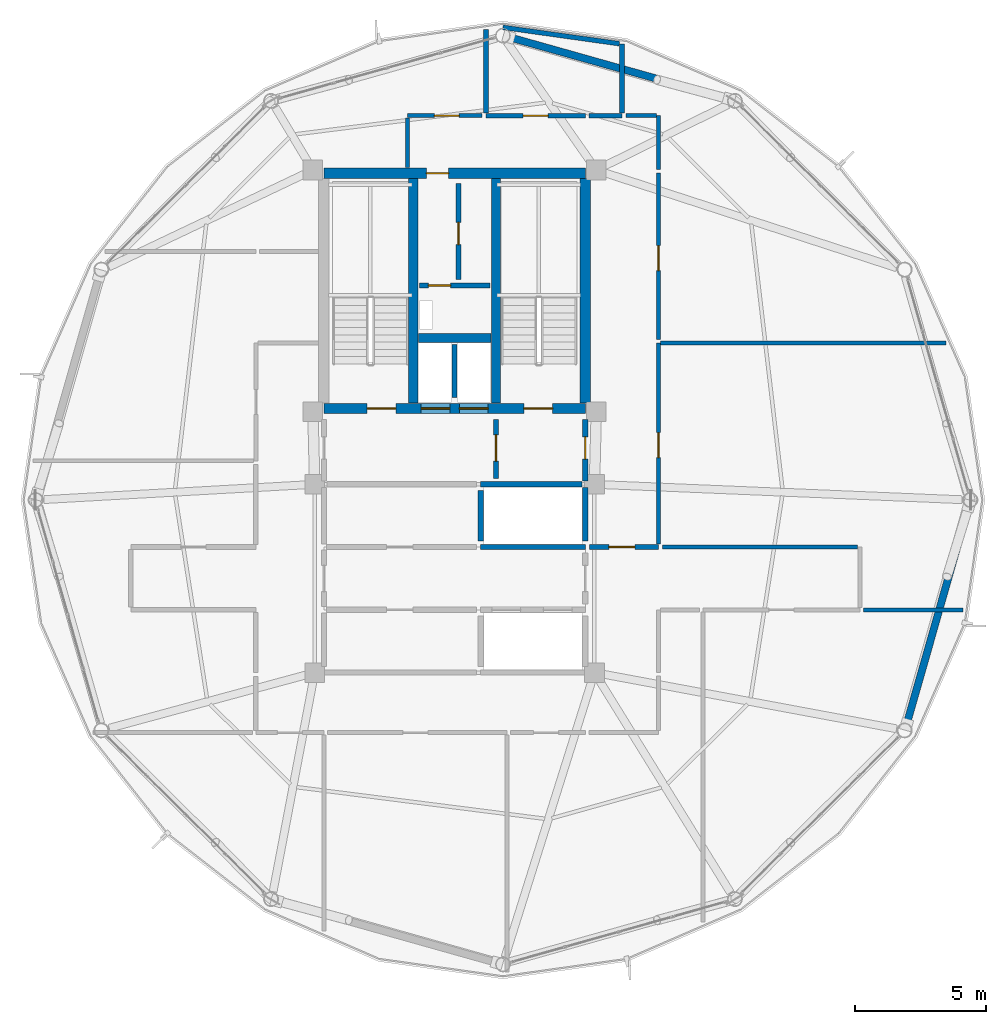
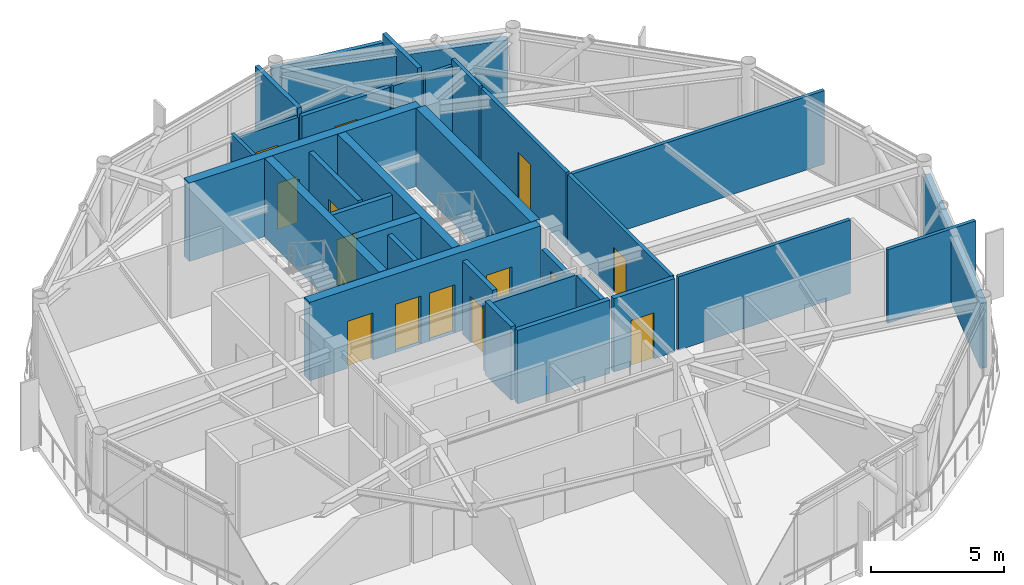
# One storey, part 20 of 24: 32 walls, 14 doors, 14 openings.
"""IFC4 building model written with IfcOpenShell, lengths in metres."""

import ifcopenshell
import ifcopenshell.guid

model = None  # the IFC model being written
_history = None  # IfcOwnerHistory: only IFC2X3 demands one
_inside = {}  # id of a spatial element -> (the spatial element, [elements in it])
_under = {}  # id of a project, library or spatial element -> (it, [spatial elements below it])
_declared = {}  # id of a project -> (the project, [libraries it declares])
_typed = {}  # id of a type object -> (the type object, [elements of that type])
_made_of = {}  # id of a material, layer set ... -> (it, [elements and type objects made of it])


def new_model(schema):
    """Start an empty IFC model of exactly this schema.

    Asked for "IFC4X3", IfcOpenShell would pick the latest addendum, in which some entities
    have other attributes; the version numbers below select the first issue.
    IFC2X3 requires an IfcOwnerHistory on every rooted entity: one is made here for all.
    """
    global model, _history
    if schema == "IFC4X3":
        model = ifcopenshell.file(schema_version=(4, 3, 0, 0))
    else:
        model = ifcopenshell.file(schema=schema)
    _inside.clear()
    _under.clear()
    _declared.clear()
    _typed.clear()
    _made_of.clear()
    _history = None
    if model.schema == "IFC2X3":
        org = make("IfcOrganization", Name="unknown")
        user = make(
            "IfcPersonAndOrganization",
            ThePerson=make("IfcPerson", FamilyName="unknown"),
            TheOrganization=org,
        )
        app = make(
            "IfcApplication",
            ApplicationDeveloper=org,
            Version="unknown",
            ApplicationFullName="unknown",
            ApplicationIdentifier="unknown",
        )
        _history = make(
            "IfcOwnerHistory",
            OwningUser=user,
            OwningApplication=app,
            ChangeAction="ADDED",
            CreationDate=0,
        )
    return model


def make(cls, **values):
    """One entity of the class cls with the attributes given. An attribute that is None is left unset."""
    return model.create_entity(
        cls, **{name: value for name, value in values.items() if value is not None}
    )


def rooted(cls, **values):
    """An entity with a GlobalId (a new one), such as an element, a storey or a relation."""
    return make(cls, GlobalId=ifcopenshell.guid.new(), OwnerHistory=_history, **values)


def si_unit(unit_type, name, prefix=None):
    """IfcSIUnit, for example si_unit("LENGTHUNIT", "METRE", prefix="MILLI")."""
    return make("IfcSIUnit", UnitType=unit_type, Prefix=prefix, Name=name)


def assignment(units):
    """IfcUnitAssignment: the units of a project."""
    return None if units is None else make("IfcUnitAssignment", Units=units)


def point(xyz):
    """IfcCartesianPoint."""
    return None if xyz is None else make("IfcCartesianPoint", Coordinates=xyz)


def direction(xyz):
    """IfcDirection."""
    return None if xyz is None else make("IfcDirection", DirectionRatios=xyz)


def frame(location, z_axis=None, x_axis=None):
    """IfcAxis2Placement3D, a coordinate frame: its origin and axes. An axis left out is left unset."""
    return make(
        "IfcAxis2Placement3D",
        Location=point(location),
        Axis=direction(z_axis),
        RefDirection=direction(x_axis),
    )


def frame_2d(location, x_axis=None):
    """IfcAxis2Placement2D, a coordinate frame in the plane: its origin and x axis."""
    return make(
        "IfcAxis2Placement2D", Location=point(location), RefDirection=direction(x_axis)
    )


def origin():
    """The frame at (0, 0, 0) with its axes left unset."""
    return frame((0.0, 0.0, 0.0))


def place(relative_to, where):
    """IfcLocalPlacement: puts the frame where relative to a parent placement (None: the world)."""
    return make(
        "IfcLocalPlacement", PlacementRelTo=relative_to, RelativePlacement=where
    )


def context(
    kind, dimensions, precision=None, world=None, true_north=None, identifier=None
):
    """IfcGeometricRepresentationContext, for example the 3D "Model" context."""
    return make(
        "IfcGeometricRepresentationContext",
        ContextIdentifier=identifier,
        ContextType=kind,
        CoordinateSpaceDimension=dimensions,
        Precision=precision,
        WorldCoordinateSystem=world,
        TrueNorth=true_north,
    )


def subcontext(parent, identifier, kind, view, scale=None):
    """IfcGeometricRepresentationSubContext, for example "Body" below "Model"."""
    return make(
        "IfcGeometricRepresentationSubContext",
        ContextIdentifier=identifier,
        ContextType=kind,
        ParentContext=parent,
        TargetScale=scale,
        TargetView=view,
    )


def project(units=None, contexts=None):
    """IfcProject with its units and contexts."""
    return rooted(
        "IfcProject",
        Name="project",
        RepresentationContexts=contexts,
        UnitsInContext=assignment(units),
    )


def spatial(cls, under=None, at=None, **own):
    """A site, building, storey or space (cls), placed at a placement, below another one or the project."""
    s = rooted(cls, ObjectPlacement=at, **own)
    if under is not None:
        _under.setdefault(under.id(), (under, []))[1].append(s)
    return s


def profile(cls, at=None, kind="AREA", **sizes):
    """A parametric profile (cls). Its sizes go by their IFC names, for example OverallWidth=200.0."""
    return make(cls, ProfileType=kind, Position=at, **sizes)


def rectangle(**sizes):
    """IfcRectangleProfileDef."""
    return profile("IfcRectangleProfileDef", **sizes)


def extrude(swept, where, along, depth):
    """IfcExtrudedAreaSolid: the profile swept, set in the frame where, extruded along a direction by depth."""
    return make(
        "IfcExtrudedAreaSolid",
        SweptArea=swept,
        Position=where,
        ExtrudedDirection=direction(along),
        Depth=depth,
    )


def shape(context_of_items, identifier, shape_type, items):
    """IfcShapeRepresentation: the items that make up one representation, for example the "Body"."""
    return make(
        "IfcShapeRepresentation",
        ContextOfItems=context_of_items,
        RepresentationIdentifier=identifier,
        RepresentationType=shape_type,
        Items=items,
    )


def material(Name=None, Category=None):
    """IfcMaterial."""
    return make("IfcMaterial", Name=Name, Category=Category)


def layer(
    of_material, thickness, ventilated=None, Name=None, Category=None, Priority=None
):
    """IfcMaterialLayer: one layer of a wall or slab, of a material (None: an air gap)."""
    return make(
        "IfcMaterialLayer",
        Material=of_material,
        LayerThickness=thickness,
        IsVentilated=ventilated,
        Name=Name,
        Category=Category,
        Priority=Priority,
    )


def layer_set(layers, Name=None):
    """IfcMaterialLayerSet."""
    return make("IfcMaterialLayerSet", MaterialLayers=layers, LayerSetName=Name)


def made_of(thing, what):
    """Note that an element or type object is made of a material, layer set ...; save() writes the relation."""
    if what is not None:
        _made_of.setdefault(what.id(), (what, []))[1].append(thing)
    return thing


def type_object(cls, material=None, **own):
    """A type object (cls), such as IfcWallType, which elements share."""
    return made_of(rooted(cls, **own), material)


def element(
    cls,
    number,
    at=None,
    inside=None,
    cuts=None,
    type_object=None,
    material=None,
    context=None,
    identifier="Body",
    shape_type=None,
    held_by="IfcProductDefinitionShape",
    body=None,
    shapes=None,
    **own,
):
    """One element of the class cls, such as IfcWall. Its Tag is "e" and its number.

    at: its placement. inside: the storey or other place that contains it. cuts: it is an
    opening in that element (IfcRelVoidsElement). A single representation is given by context,
    identifier, shape_type and body (its items); several are given by shapes. held_by: the class
    of the entity that holds the representations. save() writes the other relations.
    """
    e = rooted(cls, Tag="e%d" % number, ObjectPlacement=at, **own)
    if body is not None:
        shapes = [shape(context, identifier, shape_type, body)]
    if shapes is not None:
        e.Representation = make(held_by, Representations=shapes)
    if inside is not None:
        _inside.setdefault(inside.id(), (inside, []))[1].append(e)
    if cuts is not None:
        rooted(
            "IfcRelVoidsElement", RelatingBuildingElement=cuts, RelatedOpeningElement=e
        )
    if type_object is not None:
        _typed.setdefault(type_object.id(), (type_object, []))[1].append(e)
    return made_of(e, material)


def fill(opening, filler):
    """IfcRelFillsElement: the door or window that sits in an opening."""
    return rooted(
        "IfcRelFillsElement",
        RelatingOpeningElement=opening,
        RelatedBuildingElement=filler,
    )


def aggregate(whole, parts):
    """IfcRelAggregates: a whole, such as a stair, and the parts it consists of."""
    return rooted("IfcRelAggregates", RelatingObject=whole, RelatedObjects=parts)


def save(model, path):
    """Write the relations noted so far, then the file.

    IfcRelAggregates (storeys below a building ...), IfcRelContainedInSpatialStructure (elements
    in a storey), IfcRelDefinesByType, IfcRelAssociatesMaterial and IfcRelDeclares: one each for
    every whole, place, type object, material and project.
    """
    for whole, parts in _under.values():
        aggregate(whole, parts)
    for where, things in _inside.values():
        rooted(
            "IfcRelContainedInSpatialStructure",
            RelatedElements=things,
            RelatingStructure=where,
        )
    for kind, things in _typed.values():
        rooted("IfcRelDefinesByType", RelatedObjects=things, RelatingType=kind)
    for what, things in _made_of.values():
        rooted("IfcRelAssociatesMaterial", RelatedObjects=things, RelatingMaterial=what)
    for by, libraries in _declared.values():
        rooted("IfcRelDeclares", RelatingContext=by, RelatedDefinitions=libraries)
    model.write(path)


model = new_model("IFC4")

# Units and contexts
model_context = context("Model", 3, precision=1e-05, world=origin(), true_north=direction((0.0, 1.0)))
body_context = subcontext(model_context, "Body", "Model", "MODEL_VIEW")
ifc_project = project(units=[si_unit("LENGTHUNIT", "METRE"), si_unit("AREAUNIT", "SQUARE_METRE"), si_unit("VOLUMEUNIT", "CUBIC_METRE"), si_unit("PLANEANGLEUNIT", "RADIAN"), si_unit("MASSUNIT", "GRAM", prefix="KILO")], contexts=[model_context])

# Site, building, storey
site_placement = place(None, origin())
site = spatial("IfcSite", under=ifc_project, at=site_placement, CompositionType="ELEMENT")
building_placement = place(site_placement, origin())
building = spatial("IfcBuilding", under=site, at=building_placement, Name="Varnakorn Sky Granary", CompositionType="ELEMENT")
storey_placement = place(building_placement, frame((0.0, 0.0, 281.39990234375)))
storey = spatial("IfcBuildingStorey", under=building, at=storey_placement, Name="L72", CompositionType="ELEMENT", Elevation=281.39990234375)

# Walls
ifc_material_1 = material(Name="Concrete C50/60", Category="concrete")
ifc_layer_1 = layer(ifc_material_1, 0.35009765625, Name="Concrete C50/60")
ifc_layer_set_1 = layer_set([ifc_layer_1], Name="Concrete C50/60")
wall_type_1 = type_object("IfcWallType", Name="WT-CW-INT-350", PredefinedType="SHEAR", material=ifc_layer_set_1)
for number, where, z_axis, x_axis, name in (
    (1, (1.419921875, 3.7099609375, 0.0), (0.0, 0.0, 1.0), (0.0, 1.0, 0.0), "Stair ST-1 Core Wall L72"),
    (2, (4.580078125, 3.7099609375, 0.0), (0.0, 0.0, 1.0), (0.0, 1.0, 0.0), "Stair ST-2 Core Wall L72"),
):
    element("IfcWall", number, at=place(storey_placement, frame(where, z_axis=z_axis, x_axis=x_axis)), inside=storey, type_object=wall_type_1, Name=name, PredefinedType="SHEAR", context=body_context, shape_type="SweptSolid", body=[
        extrude(rectangle(XDim=8.580078125, YDim=0.35009765625, at=frame_2d((4.2900390625, 0.0))), origin(), (0.0, 0.0, 1.0), 3.592041015625),
    ])
wall_1_placement = place(storey_placement, frame((1.610107421875, 6.199951171875, 0.0), z_axis=(0.0, 0.0, 1.0), x_axis=(1.0, 0.0, 0.0)))
element("IfcWall", 3, at=wall_1_placement, inside=storey, type_object=wall_type_1, Name="Core Lift Shaft Cross Wall L72", PredefinedType="SHEAR", context=body_context, shape_type="SweptSolid", body=[
    extrude(rectangle(XDim=2.77978515625, YDim=0.35009765625, at=frame_2d((1.389892578125, 0.0))), origin(), (0.0, 0.0, 1.0), 3.592041015625),
])

# Wall, openings, doors
ifc_layer_2 = layer(ifc_material_1, 0.39990234375, Name="Concrete C50/60")
ifc_layer_set_2 = layer_set([ifc_layer_2], Name="Concrete C50/60")
wall_type_2 = type_object("IfcWallType", Name="WT-CW-SHEAR-400", PredefinedType="SHEAR", material=ifc_layer_set_2)
wall_2_placement = place(storey_placement, frame((-2.0, 3.5, 0.0), z_axis=(0.0, 0.0, 1.0), x_axis=(1.0, 0.0, 0.0)))
wall_2 = element("IfcWall", 4, at=wall_2_placement, inside=storey, type_object=wall_type_2, Name="Core South Shear Wall L72", PredefinedType="SHEAR", context=body_context, shape_type="SweptSolid", body=[
    extrude(rectangle(XDim=10.0, YDim=0.39990234375, at=frame_2d((5.0, 0.0))), origin(), (0.0, 0.0, 1.0), 3.592041015625),
])
opening_1_placement = place(wall_2_placement, frame((1.64990234375, 0.0, 0.0)))
opening_1 = element("IfcOpeningElement", 5, at=opening_1_placement, cuts=wall_2, Name="Opening FD-90", PredefinedType="OPENING", context=body_context, shape_type="SweptSolid", body=[
    extrude(rectangle(XDim=1.10009765625, YDim=2.14990234375, at=frame_2d((0.550048828125, 1.074951171875))), frame((0.0, 0.2099609375, 0.0), z_axis=(0.0, -1.0, 0.0), x_axis=(1.0, 0.0, 0.0)), (0.0, 0.0, 1.0), 0.419921875),
])
opening_2_placement = place(wall_2_placement, frame((7.64990234375, 0.0, 0.0)))
opening_2 = element("IfcOpeningElement", 6, at=opening_2_placement, cuts=wall_2, Name="Opening FD-90", PredefinedType="OPENING", context=body_context, shape_type="SweptSolid", body=[
    extrude(rectangle(XDim=1.10009765625, YDim=2.14990234375, at=frame_2d((0.550048828125, 1.074951171875))), frame((0.0, 0.2099609375, 0.0), z_axis=(0.0, -1.0, 0.0), x_axis=(1.0, 0.0, 0.0)), (0.0, 0.0, 1.0), 0.419921875),
])
opening_3_placement = place(wall_2_placement, frame((3.719970703125, 0.0, 0.0)))
opening_3 = element("IfcOpeningElement", 7, at=opening_3_placement, cuts=wall_2, Name="Opening LD-01", PredefinedType="OPENING", context=body_context, shape_type="SweptSolid", body=[
    extrude(rectangle(XDim=1.10009765625, YDim=2.199951171875, at=frame_2d((0.550048828125, 1.10009765625))), frame((0.0, 0.2099609375, 0.0), z_axis=(0.0, -1.0, 0.0), x_axis=(1.0, 0.0, 0.0)), (0.0, 0.0, 1.0), 0.419921875),
])
opening_4_placement = place(wall_2_placement, frame((5.179931640625, 0.0, 0.0)))
opening_4 = element("IfcOpeningElement", 8, at=opening_4_placement, cuts=wall_2, Name="Opening LD-01", PredefinedType="OPENING", context=body_context, shape_type="SweptSolid", body=[
    extrude(rectangle(XDim=1.10009765625, YDim=2.199951171875, at=frame_2d((0.550048828125, 1.10009765625))), frame((0.0, 0.2099609375, 0.0), z_axis=(0.0, -1.0, 0.0), x_axis=(1.0, 0.0, 0.0)), (0.0, 0.0, 1.0), 0.419921875),
])
ifc_material_2 = material(Name="Brushed Bronze Stainless Steel", Category="steel")
door_type_1 = type_object("IfcDoorType", Name="DR-LD-1100", OperationType="DOUBLE_DOOR_SLIDING", PredefinedType="DOOR", material=ifc_material_2)
door_1_placement = place(opening_3_placement, origin())
door_1 = element("IfcDoor", 9, at=door_1_placement, inside=storey, type_object=door_type_1, Name="Firefighting Lift FFL-1 Landing Door L72", OperationType="DOUBLE_DOOR_SLIDING", OverallHeight=2.199951171875, OverallWidth=1.10009765625, PredefinedType="DOOR", context=body_context, shape_type="SweptSolid", body=[
    extrude(rectangle(XDim=1.10009765625, YDim=2.199951171875, at=frame_2d((0.550048828125, 1.10009765625))), frame((0.0, 0.02490234375, 0.0), z_axis=(0.0, -1.0, 0.0), x_axis=(1.0, 0.0, 0.0)), (0.0, 0.0, 1.0), 0.050048828125),
])
fill(opening_3, door_1)
door_2_placement = place(opening_4_placement, origin())
door_2 = element("IfcDoor", 10, at=door_2_placement, inside=storey, type_object=door_type_1, Name="Firefighting Lift FFL-2 Landing Door L72", OperationType="DOUBLE_DOOR_SLIDING", OverallHeight=2.199951171875, OverallWidth=1.10009765625, PredefinedType="DOOR", context=body_context, shape_type="SweptSolid", body=[
    extrude(rectangle(XDim=1.10009765625, YDim=2.199951171875, at=frame_2d((0.550048828125, 1.10009765625))), frame((0.0, 0.02490234375, 0.0), z_axis=(0.0, -1.0, 0.0), x_axis=(1.0, 0.0, 0.0)), (0.0, 0.0, 1.0), 0.050048828125),
])
fill(opening_4, door_2)
ifc_material_3 = material(Name="Galvanised Painted Steel Leaf", Category="steel")
door_type_2 = type_object("IfcDoorType", Name="DR-STAIR-1100", OperationType="NOTDEFINED", PredefinedType="DOOR", material=ifc_material_3)
door_3_placement = place(opening_1_placement, origin())
door_3 = element("IfcDoor", 11, at=door_3_placement, inside=storey, type_object=door_type_2, Name="Stair ST-1 Protected Fire Door L72", OperationType="SINGLE_SWING_LEFT", OverallHeight=2.14990234375, OverallWidth=1.10009765625, PredefinedType="DOOR", context=body_context, shape_type="SweptSolid", body=[
    extrude(rectangle(XDim=1.10009765625, YDim=2.14990234375, at=frame_2d((0.550048828125, 1.074951171875))), frame((0.0, 0.02490234375, 0.0), z_axis=(0.0, -1.0, 0.0), x_axis=(1.0, 0.0, 0.0)), (0.0, 0.0, 1.0), 0.050048828125),
])
fill(opening_1, door_3)
door_4_placement = place(opening_2_placement, origin())
door_4 = element("IfcDoor", 12, at=door_4_placement, inside=storey, type_object=door_type_2, Name="Stair ST-2 Protected Fire Door L72", OperationType="SINGLE_SWING_RIGHT", OverallHeight=2.14990234375, OverallWidth=1.10009765625, PredefinedType="DOOR", context=body_context, shape_type="SweptSolid", body=[
    extrude(rectangle(XDim=1.10009765625, YDim=2.14990234375, at=frame_2d((0.550048828125, 1.074951171875))), frame((0.0, 0.02490234375, 0.0), z_axis=(0.0, -1.0, 0.0), x_axis=(1.0, 0.0, 0.0)), (0.0, 0.0, 1.0), 0.050048828125),
])
fill(opening_2, door_4)

# Wall, opening, door
wall_3_placement = place(storey_placement, frame((-2.0, 12.5, 0.0), z_axis=(0.0, 0.0, 1.0), x_axis=(1.0, 0.0, 0.0)))
wall_3 = element("IfcWall", 13, at=wall_3_placement, inside=storey, type_object=wall_type_2, Name="Core North Shear Wall L72", PredefinedType="SHEAR", context=body_context, shape_type="SweptSolid", body=[
    extrude(rectangle(XDim=10.0, YDim=0.39990234375, at=frame_2d((5.0, 0.0))), origin(), (0.0, 0.0, 1.0), 3.592041015625),
])
opening_5_placement = place(wall_3_placement, frame((3.919921875, 0.0, 0.0)))
opening_5 = element("IfcOpeningElement", 14, at=opening_5_placement, cuts=wall_3, Name="Opening FD-60N", PredefinedType="OPENING", context=body_context, shape_type="SweptSolid", body=[
    extrude(rectangle(XDim=0.85009765625, YDim=2.10009765625, at=frame_2d((0.425048828125, 1.050048828125))), frame((0.0, 0.2099609375, 0.0), z_axis=(0.0, -1.0, 0.0), x_axis=(1.0, 0.0, 0.0)), (0.0, 0.0, 1.0), 0.419921875),
])
ifc_material_4 = material(Name="Acoustic Timber Fire Leaf", Category="wood")
door_type_3 = type_object("IfcDoorType", Name="DR-FD60-850", OperationType="NOTDEFINED", PredefinedType="DOOR", material=ifc_material_4)
door_5_placement = place(opening_5_placement, origin())
door_5 = element("IfcDoor", 15, at=door_5_placement, inside=storey, type_object=door_type_3, Name="Core North Service Door L72", OperationType="SINGLE_SWING_RIGHT", OverallHeight=2.10009765625, OverallWidth=0.85009765625, PredefinedType="DOOR", context=body_context, shape_type="SweptSolid", body=[
    extrude(rectangle(XDim=0.85009765625, YDim=2.10009765625, at=frame_2d((0.425048828125, 1.050048828125))), frame((0.0, 0.02490234375, 0.0), z_axis=(0.0, -1.0, 0.0), x_axis=(1.0, 0.0, 0.0)), (0.0, 0.0, 1.0), 0.050048828125),
])
fill(opening_5, door_5)

# Walls
wall_4_placement = place(storey_placement, frame((8.0, 3.7099609375, 0.0), z_axis=(0.0, 0.0, 1.0), x_axis=(0.0, 1.0, 0.0)))
element("IfcWall", 16, at=wall_4_placement, inside=storey, type_object=wall_type_2, Name="Core East Shear Wall L72", PredefinedType="SHEAR", context=body_context, shape_type="SweptSolid", body=[
    extrude(rectangle(XDim=8.580078125, YDim=0.39990234375, at=frame_2d((4.2900390625, 0.0))), origin(), (0.0, 0.0, 1.0), 3.592041015625),
])
ifc_material_5 = material(Name="Precast concrete C40/50", Category="concrete")
ifc_layer_3 = layer(ifc_material_5, 0.280029296875, Name="Precast concrete C40/50")
ifc_layer_set_3 = layer_set([ifc_layer_3], Name="Precast concrete C40/50")
wall_type_3 = type_object("IfcWallType", Name="WT-EW-CRN-280", PredefinedType="SOLIDWALL", material=ifc_layer_set_3)
wall_5_placement = place(storey_placement, frame((5.07568359375, 17.70458984375, 0.0), z_axis=(0.0, 0.0, 1.0), x_axis=(0.962607071453, -0.270901506066, 0.0)))
element("IfcWall", 17, at=wall_5_placement, inside=storey, type_object=wall_type_3, Name="Agritech Insulated Precast Facade Wall L72-P03", PredefinedType="SOLIDWALL", context=body_context, shape_type="SweptSolid", body=[
    extrude(rectangle(XDim=8.750732421875, YDim=0.280029296875, at=frame_2d((4.37548828125, 0.0))), origin(), (0.0, 0.0, 1.0), 2.97021484375),
])
wall_6_placement = place(storey_placement, frame((22.670654296875, -0.2255859375, 0.0), z_axis=(0.0, 0.0, 1.0), x_axis=(-0.274098309732, -0.96170167755, 0.0)))
element("IfcWall", 18, at=wall_6_placement, inside=storey, type_object=wall_type_3, Name="Agritech Insulated Precast Facade Wall L72-P12", PredefinedType="SOLIDWALL", context=body_context, shape_type="SweptSolid", body=[
    extrude(rectangle(XDim=8.69873046875, YDim=0.280029296875, at=frame_2d((4.349365234375, 0.0))), origin(), (0.0, 0.0, 1.0), 2.97021484375),
])

# Wall, opening, door
ifc_material_6 = material(Name="Autoclaved Aerated Concrete Blockwork", Category="masonry")
ifc_layer_4 = layer(ifc_material_6, 0.199951171875, Name="Autoclaved Aerated Concrete Blockwork")
ifc_layer_set_4 = layer_set([ifc_layer_4], Name="Autoclaved Aerated Concrete Blockwork")
wall_type_4 = type_object("IfcWallType", Name="WT-FIRE-200", PredefinedType="MOVABLE", material=ifc_layer_set_4)
wall_7_placement = place(storey_placement, frame((1.64990234375, 8.199951171875, 0.0), z_axis=(0.0, 0.0, 1.0), x_axis=(1.0, 0.0, 0.0)))
wall_7 = element("IfcWall", 19, at=wall_7_placement, inside=storey, type_object=wall_type_4, Name="Interior Partition Wall L72-010", PredefinedType="MOVABLE", context=body_context, shape_type="SweptSolid", body=[
    extrude(rectangle(XDim=2.7001953125, YDim=0.199951171875, at=frame_2d((1.35009765625, 0.0))), origin(), (0.0, 0.0, 1.0), 3.360107421875),
])
opening_6_placement = place(wall_7_placement, frame((0.35009765625, 0.0, 0.0)))
opening_6 = element("IfcOpeningElement", 20, at=opening_6_placement, cuts=wall_7, Name="Opening FD-60N", PredefinedType="OPENING", context=body_context, shape_type="SweptSolid", body=[
    extrude(rectangle(XDim=0.85009765625, YDim=2.10009765625, at=frame_2d((0.425048828125, 1.050048828125))), frame((0.0, 0.10986328125, 0.0), z_axis=(0.0, -1.0, 0.0), x_axis=(1.0, 0.0, 0.0)), (0.0, 0.0, 1.0), 0.219970703125),
])
door_6_placement = place(opening_6_placement, origin())
door_6 = element("IfcDoor", 21, at=door_6_placement, inside=storey, type_object=door_type_3, Name="Interior Door L72-010-1", OperationType="SINGLE_SWING_LEFT", OverallHeight=2.10009765625, OverallWidth=0.85009765625, PredefinedType="DOOR", context=body_context, shape_type="SweptSolid", body=[
    extrude(rectangle(XDim=0.85009765625, YDim=2.10009765625, at=frame_2d((0.425048828125, 1.050048828125))), frame((0.0, 0.02490234375, 0.0), z_axis=(0.0, -1.0, 0.0), x_axis=(1.0, 0.0, 0.0)), (0.0, 0.0, 1.0), 0.050048828125),
])
fill(opening_6, door_6)

wall_8_placement = place(storey_placement, frame((3.14990234375, 8.429931640625, 0.0), z_axis=(0.0, 0.0, 1.0), x_axis=(0.0, 1.0, 0.0)))
wall_8 = element("IfcWall", 22, at=wall_8_placement, inside=storey, type_object=wall_type_4, Name="Interior Partition Wall L72-011", PredefinedType="MOVABLE", context=body_context, shape_type="SweptSolid", body=[
    extrude(rectangle(XDim=3.670166015625, YDim=0.199951171875, at=frame_2d((1.8349609375, 0.0))), origin(), (0.0, 0.0, 1.0), 3.360107421875),
])
opening_7_placement = place(wall_8_placement, frame((1.340087890625, 0.0, 0.0)))
opening_7 = element("IfcOpeningElement", 23, at=opening_7_placement, cuts=wall_8, Name="Opening FD-60N", PredefinedType="OPENING", context=body_context, shape_type="SweptSolid", body=[
    extrude(rectangle(XDim=0.85009765625, YDim=2.10009765625, at=frame_2d((0.425048828125, 1.050048828125))), frame((0.0, 0.10986328125, 0.0), z_axis=(0.0, -1.0, 0.0), x_axis=(1.0, 0.0, 0.0)), (0.0, 0.0, 1.0), 0.219970703125),
])
door_7_placement = place(opening_7_placement, origin())
door_7 = element("IfcDoor", 24, at=door_7_placement, inside=storey, type_object=door_type_3, Name="Interior Door L72-011-1", OperationType="SINGLE_SWING_RIGHT", OverallHeight=2.10009765625, OverallWidth=0.85009765625, PredefinedType="DOOR", context=body_context, shape_type="SweptSolid", body=[
    extrude(rectangle(XDim=0.85009765625, YDim=2.10009765625, at=frame_2d((0.425048828125, 1.050048828125))), frame((0.0, 0.02490234375, 0.0), z_axis=(0.0, -1.0, 0.0), x_axis=(1.0, 0.0, 0.0)), (0.0, 0.0, 1.0), 0.050048828125),
])
fill(opening_7, door_7)

wall_9_placement = place(storey_placement, frame((4.580078125, 0.830078125, 0.0), z_axis=(0.0, 0.0, 1.0), x_axis=(0.0, 1.0, 0.0)))
wall_9 = element("IfcWall", 25, at=wall_9_placement, inside=storey, type_object=wall_type_4, Name="Interior Partition Wall L72-012", PredefinedType="MOVABLE", context=body_context, shape_type="SweptSolid", body=[
    extrude(rectangle(XDim=2.239990234375, YDim=0.199951171875, at=frame_2d((1.1201171875, 0.0))), origin(), (0.0, 0.0, 1.0), 3.360107421875),
])
opening_8_placement = place(wall_9_placement, frame((0.659912109375, 0.0, 0.0)))
opening_8 = element("IfcOpeningElement", 26, at=opening_8_placement, cuts=wall_9, Name="Opening FD-60", PredefinedType="OPENING", context=body_context, shape_type="SweptSolid", body=[
    extrude(rectangle(XDim=1.0, YDim=2.10009765625, at=frame_2d((0.5, 1.050048828125))), frame((0.0, 0.10986328125, 0.0), z_axis=(0.0, -1.0, 0.0), x_axis=(1.0, 0.0, 0.0)), (0.0, 0.0, 1.0), 0.219970703125),
])
door_type_4 = type_object("IfcDoorType", Name="DR-FD60-1000", OperationType="NOTDEFINED", PredefinedType="DOOR", material=ifc_material_4)
door_8_placement = place(opening_8_placement, origin())
door_8 = element("IfcDoor", 27, at=door_8_placement, inside=storey, type_object=door_type_4, Name="Interior Door L72-012-1", OperationType="SINGLE_SWING_LEFT", OverallHeight=2.10009765625, OverallWidth=1.0, PredefinedType="DOOR", context=body_context, shape_type="SweptSolid", body=[
    extrude(rectangle(XDim=1.0, YDim=2.10009765625, at=frame_2d((0.5, 1.050048828125))), frame((0.0, 0.02490234375, 0.0), z_axis=(0.0, -1.0, 0.0), x_axis=(1.0, 0.0, 0.0)), (0.0, 0.0, 1.0), 0.050048828125),
])
fill(opening_8, door_8)

wall_10_placement = place(storey_placement, frame((8.0, 0.719970703125, 0.0), z_axis=(0.0, 0.0, 1.0), x_axis=(0.0, 1.0, 0.0)))
wall_10 = element("IfcWall", 28, at=wall_10_placement, inside=storey, type_object=wall_type_4, Name="Interior Partition Wall L72-014", PredefinedType="MOVABLE", context=body_context, shape_type="SweptSolid", body=[
    extrude(rectangle(XDim=2.35009765625, YDim=0.199951171875, at=frame_2d((1.175048828125, 0.0))), origin(), (0.0, 0.0, 1.0), 2.692138671875),
])
opening_9_placement = place(wall_10_placement, frame((0.844970703125, 0.0, 0.0)))
opening_9 = element("IfcOpeningElement", 29, at=opening_9_placement, cuts=wall_10, Name="Opening FD-60N", PredefinedType="OPENING", context=body_context, shape_type="SweptSolid", body=[
    extrude(rectangle(XDim=0.85009765625, YDim=2.10009765625, at=frame_2d((0.425048828125, 1.050048828125))), frame((0.0, 0.10986328125, 0.0), z_axis=(0.0, -1.0, 0.0), x_axis=(1.0, 0.0, 0.0)), (0.0, 0.0, 1.0), 0.219970703125),
])
door_9_placement = place(opening_9_placement, origin())
door_9 = element("IfcDoor", 30, at=door_9_placement, inside=storey, type_object=door_type_3, Name="Interior Door L72-014-1", OperationType="SINGLE_SWING_LEFT", OverallHeight=2.10009765625, OverallWidth=0.85009765625, PredefinedType="DOOR", context=body_context, shape_type="SweptSolid", body=[
    extrude(rectangle(XDim=0.85009765625, YDim=2.10009765625, at=frame_2d((0.425048828125, 1.050048828125))), frame((0.0, 0.02490234375, 0.0), z_axis=(0.0, -1.0, 0.0), x_axis=(1.0, 0.0, 0.0)), (0.0, 0.0, 1.0), 0.050048828125),
])
fill(opening_9, door_9)

wall_11_placement = place(storey_placement, frame((8.159912109375, -1.800048828125, 0.0), z_axis=(0.0, 0.0, 1.0), x_axis=(1.0, 0.0, 0.0)))
wall_11 = element("IfcWall", 31, at=wall_11_placement, inside=storey, type_object=wall_type_4, Name="Interior Partition Wall L72-019", PredefinedType="MOVABLE", context=body_context, shape_type="SweptSolid", body=[
    extrude(rectangle(XDim=2.64013671875, YDim=0.199951171875, at=frame_2d((1.320068359375, 0.0))), origin(), (0.0, 0.0, 1.0), 3.360107421875),
])
opening_10_placement = place(wall_11_placement, frame((0.739990234375, 0.0, 0.0)))
opening_10 = element("IfcOpeningElement", 32, at=opening_10_placement, cuts=wall_11, Name="Opening FD-60", PredefinedType="OPENING", context=body_context, shape_type="SweptSolid", body=[
    extrude(rectangle(XDim=1.0, YDim=2.10009765625, at=frame_2d((0.5, 1.050048828125))), frame((0.0, 0.10986328125, 0.0), z_axis=(0.0, -1.0, 0.0), x_axis=(1.0, 0.0, 0.0)), (0.0, 0.0, 1.0), 0.219970703125),
])
door_10_placement = place(opening_10_placement, origin())
door_10 = element("IfcDoor", 33, at=door_10_placement, inside=storey, type_object=door_type_4, Name="Interior Door L72-019-1", OperationType="SINGLE_SWING_RIGHT", OverallHeight=2.10009765625, OverallWidth=1.0, PredefinedType="DOOR", context=body_context, shape_type="SweptSolid", body=[
    extrude(rectangle(XDim=1.0, YDim=2.10009765625, at=frame_2d((0.5, 1.050048828125))), frame((0.0, 0.02490234375, 0.0), z_axis=(0.0, -1.0, 0.0), x_axis=(1.0, 0.0, 0.0)), (0.0, 0.0, 1.0), 0.050048828125),
])
fill(opening_10, door_10)

ifc_material_7 = material(Name="Gypsum Plasterboard on Steel Stud", Category="steel")
ifc_layer_5 = layer(ifc_material_7, 0.14990234375, Name="Gypsum Plasterboard on Steel Stud")
ifc_layer_set_5 = layer_set([ifc_layer_5], Name="Gypsum Plasterboard on Steel Stud")
wall_type_5 = type_object("IfcWallType", Name="WT-PART-150", PredefinedType="PARTITIONING", material=ifc_layer_set_5)
wall_12_placement = place(storey_placement, frame((4.050048828125, 14.699951171875, 0.0), z_axis=(0.0, 0.0, 1.0), x_axis=(-1.0, 0.0, 0.0)))
wall_12 = element("IfcWall", 34, at=wall_12_placement, inside=storey, type_object=wall_type_5, Name="Interior Partition Wall L72-027", PredefinedType="PARTITIONING", context=body_context, shape_type="SweptSolid", body=[
    extrude(rectangle(XDim=2.85009765625, YDim=0.14990234375, at=frame_2d((1.425048828125, 0.0))), origin(), (0.0, 0.0, 1.0), 3.072021484375),
])
opening_11_placement = place(wall_12_placement, frame((0.875, 0.0, 0.0)))
opening_11 = element("IfcOpeningElement", 35, at=opening_11_placement, cuts=wall_12, Name="Opening ID-95", PredefinedType="OPENING", context=body_context, shape_type="SweptSolid", body=[
    extrude(rectangle(XDim=0.949951171875, YDim=2.10009765625, at=frame_2d((0.47509765625, 1.050048828125))), frame((0.0, 0.0849609375, 0.0), z_axis=(0.0, -1.0, 0.0), x_axis=(1.0, 0.0, 0.0)), (0.0, 0.0, 1.0), 0.169921875),
])
ifc_material_8 = material(Name="Solid-Core Teak Veneer Leaf", Category="timber")
door_type_5 = type_object("IfcDoorType", Name="DR-INT-950", OperationType="NOTDEFINED", PredefinedType="DOOR", material=ifc_material_8)
door_11_placement = place(opening_11_placement, origin())
door_11 = element("IfcDoor", 36, at=door_11_placement, inside=storey, type_object=door_type_5, Name="Interior Door L72-027-1", OperationType="SINGLE_SWING_RIGHT", OverallHeight=2.10009765625, OverallWidth=0.949951171875, PredefinedType="DOOR", context=body_context, shape_type="SweptSolid", body=[
    extrude(rectangle(XDim=0.949951171875, YDim=2.10009765625, at=frame_2d((0.47509765625, 1.050048828125))), frame((0.0, 0.02490234375, 0.0), z_axis=(0.0, -1.0, 0.0), x_axis=(1.0, 0.0, 0.0)), (0.0, 0.0, 1.0), 0.050048828125),
])
fill(opening_11, door_11)

wall_13_placement = place(storey_placement, frame((10.800048828125, -1.68994140625, 0.0), z_axis=(0.0, 0.0, 1.0), x_axis=(0.0, 1.0, 0.0)))
wall_13 = element("IfcWall", 37, at=wall_13_placement, inside=storey, type_object=wall_type_5, Name="Interior Partition Wall L72-028", PredefinedType="PARTITIONING", context=body_context, shape_type="SweptSolid", body=[
    extrude(rectangle(XDim=7.68994140625, YDim=0.14990234375, at=frame_2d((3.844970703125, 0.0))), origin(), (0.0, 0.0, 1.0), 3.360107421875),
])
opening_12_placement = place(wall_13_placement, frame((3.31494140625, 0.0, 0.0)))
opening_12 = element("IfcOpeningElement", 38, at=opening_12_placement, cuts=wall_13, Name="Opening ID-95", PredefinedType="OPENING", context=body_context, shape_type="SweptSolid", body=[
    extrude(rectangle(XDim=0.949951171875, YDim=2.10009765625, at=frame_2d((0.47509765625, 1.050048828125))), frame((0.0, 0.0849609375, 0.0), z_axis=(0.0, -1.0, 0.0), x_axis=(1.0, 0.0, 0.0)), (0.0, 0.0, 1.0), 0.169921875),
])
door_12_placement = place(opening_12_placement, origin())
door_12 = element("IfcDoor", 39, at=door_12_placement, inside=storey, type_object=door_type_5, Name="Interior Door L72-028-1", OperationType="SINGLE_SWING_LEFT", OverallHeight=2.10009765625, OverallWidth=0.949951171875, PredefinedType="DOOR", context=body_context, shape_type="SweptSolid", body=[
    extrude(rectangle(XDim=0.949951171875, YDim=2.10009765625, at=frame_2d((0.47509765625, 1.050048828125))), frame((0.0, 0.02490234375, 0.0), z_axis=(0.0, -1.0, 0.0), x_axis=(1.0, 0.0, 0.0)), (0.0, 0.0, 1.0), 0.050048828125),
])
fill(opening_12, door_12)

wall_14_placement = place(storey_placement, frame((10.800048828125, 6.135009765625, 0.0), z_axis=(0.0, 0.0, 1.0), x_axis=(0.0, 1.0, 0.0)))
wall_14 = element("IfcWall", 40, at=wall_14_placement, inside=storey, type_object=wall_type_5, Name="Interior Partition Wall L72-029", PredefinedType="PARTITIONING", context=body_context, shape_type="SweptSolid", body=[
    extrude(rectangle(XDim=6.364990234375, YDim=0.14990234375, at=frame_2d((3.1826171875, 0.0))), origin(), (0.0, 0.0, 1.0), 3.360107421875),
])
opening_13_placement = place(wall_14_placement, frame((2.639892578125, 0.0, 0.0)))
opening_13 = element("IfcOpeningElement", 41, at=opening_13_placement, cuts=wall_14, Name="Opening ID-95", PredefinedType="OPENING", context=body_context, shape_type="SweptSolid", body=[
    extrude(rectangle(XDim=0.949951171875, YDim=2.10009765625, at=frame_2d((0.47509765625, 1.050048828125))), frame((0.0, 0.0849609375, 0.0), z_axis=(0.0, -1.0, 0.0), x_axis=(1.0, 0.0, 0.0)), (0.0, 0.0, 1.0), 0.169921875),
])
door_13_placement = place(opening_13_placement, origin())
door_13 = element("IfcDoor", 42, at=door_13_placement, inside=storey, type_object=door_type_5, Name="Interior Door L72-029-1", OperationType="SINGLE_SWING_RIGHT", OverallHeight=2.10009765625, OverallWidth=0.949951171875, PredefinedType="DOOR", context=body_context, shape_type="SweptSolid", body=[
    extrude(rectangle(XDim=0.949951171875, YDim=2.10009765625, at=frame_2d((0.47509765625, 1.050048828125))), frame((0.0, 0.02490234375, 0.0), z_axis=(0.0, -1.0, 0.0), x_axis=(1.0, 0.0, 0.0)), (0.0, 0.0, 1.0), 0.050048828125),
])
fill(opening_13, door_13)

# Walls
wall_15_placement = place(storey_placement, frame((18.635009765625, -4.199951171875, 0.0), z_axis=(0.0, 0.0, 1.0), x_axis=(1.0, 0.0, 0.0)))
element("IfcWall", 43, at=wall_15_placement, inside=storey, type_object=wall_type_5, Name="Interior Partition Wall L72-043", PredefinedType="PARTITIONING", context=body_context, shape_type="SweptSolid", body=[
    extrude(rectangle(XDim=3.81298828125, YDim=0.14990234375, at=frame_2d((1.906494140625, 0.0))), origin(), (0.0, 0.0, 1.0), 3.360107421875),
])
wall_16_placement = place(storey_placement, frame((1.199951171875, 14.614990234375, 0.0), z_axis=(0.0, 0.0, 1.0), x_axis=(0.0, -1.0, 0.0)))
element("IfcWall", 44, at=wall_16_placement, inside=storey, type_object=wall_type_5, Name="Interior Partition Wall L72-053", PredefinedType="PARTITIONING", context=body_context, shape_type="SweptSolid", body=[
    extrude(rectangle(XDim=1.905029296875, YDim=0.14990234375, at=frame_2d((0.95263671875, 0.0))), origin(), (0.0, 0.0, 1.0), 3.360107421875),
])
wall_17_placement = place(storey_placement, frame((18.4150390625, -1.800048828125, 0.0), z_axis=(0.0, 0.0, 1.0), x_axis=(-1.0, 0.0, 0.0)))
element("IfcWall", 45, at=wall_17_placement, inside=storey, type_object=wall_type_5, Name="Interior Partition Wall L72-056", PredefinedType="PARTITIONING", context=body_context, shape_type="SweptSolid", body=[
    extrude(rectangle(XDim=7.455078125, YDim=0.14990234375, at=frame_2d((3.7275390625, 0.0))), origin(), (0.0, 0.0, 1.0), 3.360107421875),
])
wall_18_placement = place(storey_placement, frame((10.885009765625, 6.0, 0.0), z_axis=(0.0, 0.0, 1.0), x_axis=(1.0, 0.0, 0.0)))
element("IfcWall", 46, at=wall_18_placement, inside=storey, type_object=wall_type_5, Name="Interior Partition Wall L72-057", PredefinedType="PARTITIONING", context=body_context, shape_type="SweptSolid", body=[
    extrude(rectangle(XDim=10.910888671875, YDim=0.14990234375, at=frame_2d((5.45556640625, 0.0))), origin(), (0.0, 0.0, 1.0), 3.360107421875),
])
wall_19_placement = place(storey_placement, frame((10.800048828125, 12.635009765625, 0.0), z_axis=(0.0, 0.0, 1.0), x_axis=(0.0, 1.0, 0.0)))
element("IfcWall", 47, at=wall_19_placement, inside=storey, type_object=wall_type_5, Name="Interior Partition Wall L72-058", PredefinedType="PARTITIONING", context=body_context, shape_type="SweptSolid", body=[
    extrude(rectangle(XDim=2.06494140625, YDim=0.14990234375, at=frame_2d((1.032470703125, 0.0))), origin(), (0.0, 0.0, 1.0), 3.360107421875),
])
wall_20_placement = place(storey_placement, frame((10.715087890625, 14.699951171875, 0.0), z_axis=(0.0, 0.0, 1.0), x_axis=(-1.0, 0.0, 0.0)))
element("IfcWall", 48, at=wall_20_placement, inside=storey, type_object=wall_type_5, Name="Interior Partition Wall L72-059", PredefinedType="PARTITIONING", context=body_context, shape_type="SweptSolid", body=[
    extrude(rectangle(XDim=1.1650390625, YDim=0.14990234375, at=frame_2d((0.58251953125, 0.0))), origin(), (0.0, 0.0, 1.0), 3.072021484375),
])

# Wall, opening, door
ifc_material_9 = material(Name="Moisture-Resistant Gypsum on Stud", Category="gypsum")
ifc_layer_6 = layer(ifc_material_9, 0.179931640625, Name="Moisture-Resistant Gypsum on Stud")
ifc_layer_set_6 = layer_set([ifc_layer_6], Name="Moisture-Resistant Gypsum on Stud")
wall_type_6 = type_object("IfcWallType", Name="WT-PLUMB-180", PredefinedType="PLUMBINGWALL", material=ifc_layer_set_6)
wall_21_placement = place(storey_placement, frame((8.0, 14.699951171875, 0.0), z_axis=(0.0, 0.0, 1.0), x_axis=(-1.0, 0.0, 0.0)))
wall_21 = element("IfcWall", 49, at=wall_21_placement, inside=storey, type_object=wall_type_6, Name="Interior Partition Wall L72-020", PredefinedType="PLUMBINGWALL", context=body_context, shape_type="SweptSolid", body=[
    extrude(rectangle(XDim=3.800048828125, YDim=0.179931640625, at=frame_2d((1.89990234375, 0.0))), origin(), (0.0, 0.0, 1.0), 3.072021484375),
])
opening_14_placement = place(wall_21_placement, frame((1.425048828125, 0.0, 0.0)))
opening_14 = element("IfcOpeningElement", 50, at=opening_14_placement, cuts=wall_21, Name="Opening ID-95", PredefinedType="OPENING", context=body_context, shape_type="SweptSolid", body=[
    extrude(rectangle(XDim=0.949951171875, YDim=2.10009765625, at=frame_2d((0.47509765625, 1.050048828125))), frame((0.0, 0.10009765625, 0.0), z_axis=(0.0, -1.0, 0.0), x_axis=(1.0, 0.0, 0.0)), (0.0, 0.0, 1.0), 0.199951171875),
])
door_14_placement = place(opening_14_placement, origin())
door_14 = element("IfcDoor", 51, at=door_14_placement, inside=storey, type_object=door_type_5, Name="Interior Door L72-020-1", OperationType="SINGLE_SWING_LEFT", OverallHeight=2.10009765625, OverallWidth=0.949951171875, PredefinedType="DOOR", context=body_context, shape_type="SweptSolid", body=[
    extrude(rectangle(XDim=0.949951171875, YDim=2.10009765625, at=frame_2d((0.47509765625, 1.050048828125))), frame((0.0, 0.02490234375, 0.0), z_axis=(0.0, -1.0, 0.0), x_axis=(1.0, 0.0, 0.0)), (0.0, 0.0, 1.0), 0.050048828125),
])
fill(opening_14, door_14)

# Walls
wall_22_placement = place(storey_placement, frame((9.39990234375, 14.699951171875, 0.0), z_axis=(0.0, 0.0, 1.0), x_axis=(-1.0, 0.0, 0.0)))
element("IfcWall", 52, at=wall_22_placement, inside=storey, type_object=wall_type_6, Name="Interior Partition Wall L72-034", PredefinedType="PLUMBINGWALL", context=body_context, shape_type="SweptSolid", body=[
    extrude(rectangle(XDim=1.25, YDim=0.179931640625, at=frame_2d((0.625, 0.0))), origin(), (0.0, 0.0, 1.0), 3.072021484375),
])
wall_23_placement = place(storey_placement, frame((4.199951171875, 17.987060546875, 0.0), z_axis=(0.0, 0.0, 1.0), x_axis=(0.0, -1.0, 0.0)))
element("IfcWall", 53, at=wall_23_placement, inside=storey, type_object=wall_type_6, Name="Interior Partition Wall L72-054", PredefinedType="PLUMBINGWALL", context=body_context, shape_type="SweptSolid", body=[
    extrude(rectangle(XDim=3.18701171875, YDim=0.179931640625, at=frame_2d((1.593505859375, 0.0))), origin(), (0.0, 0.0, 1.0), 3.360107421875),
])
wall_24_placement = place(storey_placement, frame((9.39990234375, 14.800048828125, 0.0), z_axis=(0.0, 0.0, 1.0), x_axis=(0.0, 1.0, 0.0)))
element("IfcWall", 54, at=wall_24_placement, inside=storey, type_object=wall_type_6, Name="Interior Partition Wall L72-060", PredefinedType="PLUMBINGWALL", context=body_context, shape_type="SweptSolid", body=[
    extrude(rectangle(XDim=2.638916015625, YDim=0.179931640625, at=frame_2d((1.3193359375, 0.0))), origin(), (0.0, 0.0, 1.0), 3.360107421875),
])
wall_25_placement = place(storey_placement, frame((9.301025390625, 17.452880859375, 0.0), z_axis=(0.0, 0.0, 1.0), x_axis=(-0.990284530984, 0.139055915711, 0.0)))
element("IfcWall", 55, at=wall_25_placement, inside=storey, type_object=wall_type_6, Name="Interior Partition Wall L72-061", PredefinedType="PLUMBINGWALL", context=body_context, shape_type="SweptSolid", body=[
    extrude(rectangle(XDim=4.49462890625, YDim=0.179931640625, at=frame_2d((2.247314453125, 0.0))), origin(), (0.0, 0.0, 1.0), 2.982177734375),
])
ifc_layer_7 = layer(ifc_material_6, 0.199951171875, Name="Autoclaved Aerated Concrete Blockwork")
ifc_layer_set_7 = layer_set([ifc_layer_7], Name="Autoclaved Aerated Concrete Blockwork")
wall_type_7 = type_object("IfcWallType", Name="WT-SHAFT-200", PredefinedType="SOLIDWALL", material=ifc_layer_set_7)
wall_26_placement = place(storey_placement, frame((3.0, 3.919921875, 0.0), z_axis=(0.0, 0.0, 1.0), x_axis=(0.0, 1.0, 0.0)))
element("IfcWall", 56, at=wall_26_placement, inside=storey, type_object=wall_type_7, Name="Interior Partition Wall L72-001", PredefinedType="SOLIDWALL", context=body_context, shape_type="SweptSolid", body=[
    extrude(rectangle(XDim=2.030029296875, YDim=0.199951171875, at=frame_2d((1.01513671875, 0.0))), origin(), (0.0, 0.0, 1.0), 3.360107421875),
])
wall_27_placement = place(storey_placement, frame((4.0, 0.60009765625, 0.0), z_axis=(0.0, 0.0, 1.0), x_axis=(1.0, 0.0, 0.0)))
element("IfcWall", 57, at=wall_27_placement, inside=storey, type_object=wall_type_7, Name="Interior Partition Wall L72-002", PredefinedType="SOLIDWALL", context=body_context, shape_type="SweptSolid", body=[
    extrude(rectangle(XDim=3.8798828125, YDim=0.199951171875, at=frame_2d((1.93994140625, 0.0))), origin(), (0.0, 0.0, 1.0), 3.072021484375),
])
wall_28_placement = place(storey_placement, frame((4.0, -1.800048828125, 0.0), z_axis=(0.0, 0.0, 1.0), x_axis=(1.0, 0.0, 0.0)))
element("IfcWall", 58, at=wall_28_placement, inside=storey, type_object=wall_type_7, Name="Interior Partition Wall L72-003", PredefinedType="SOLIDWALL", context=body_context, shape_type="SweptSolid", body=[
    extrude(rectangle(XDim=4.0, YDim=0.199951171875, at=frame_2d((2.0, 0.0))), origin(), (0.0, 0.0, 1.0), 3.360107421875),
])
wall_29_placement = place(storey_placement, frame((4.0, -1.570068359375, 0.0), z_axis=(0.0, 0.0, 1.0), x_axis=(0.0, 1.0, 0.0)))
element("IfcWall", 59, at=wall_29_placement, inside=storey, type_object=wall_type_7, Name="Interior Partition Wall L72-004", PredefinedType="SOLIDWALL", context=body_context, shape_type="SweptSolid", body=[
    extrude(rectangle(XDim=1.940185546875, YDim=0.199951171875, at=frame_2d((0.97021484375, 0.0))), origin(), (0.0, 0.0, 1.0), 3.360107421875),
])
wall_30_placement = place(storey_placement, frame((8.0, -1.570068359375, 0.0), z_axis=(0.0, 0.0, 1.0), x_axis=(0.0, 1.0, 0.0)))
element("IfcWall", 60, at=wall_30_placement, inside=storey, type_object=wall_type_7, Name="Interior Partition Wall L72-005", PredefinedType="SOLIDWALL", context=body_context, shape_type="SweptSolid", body=[
    extrude(rectangle(XDim=2.050048828125, YDim=0.199951171875, at=frame_2d((1.02490234375, 0.0))), origin(), (0.0, 0.0, 1.0), 3.072021484375),
])

save(model, "model.ifc")
